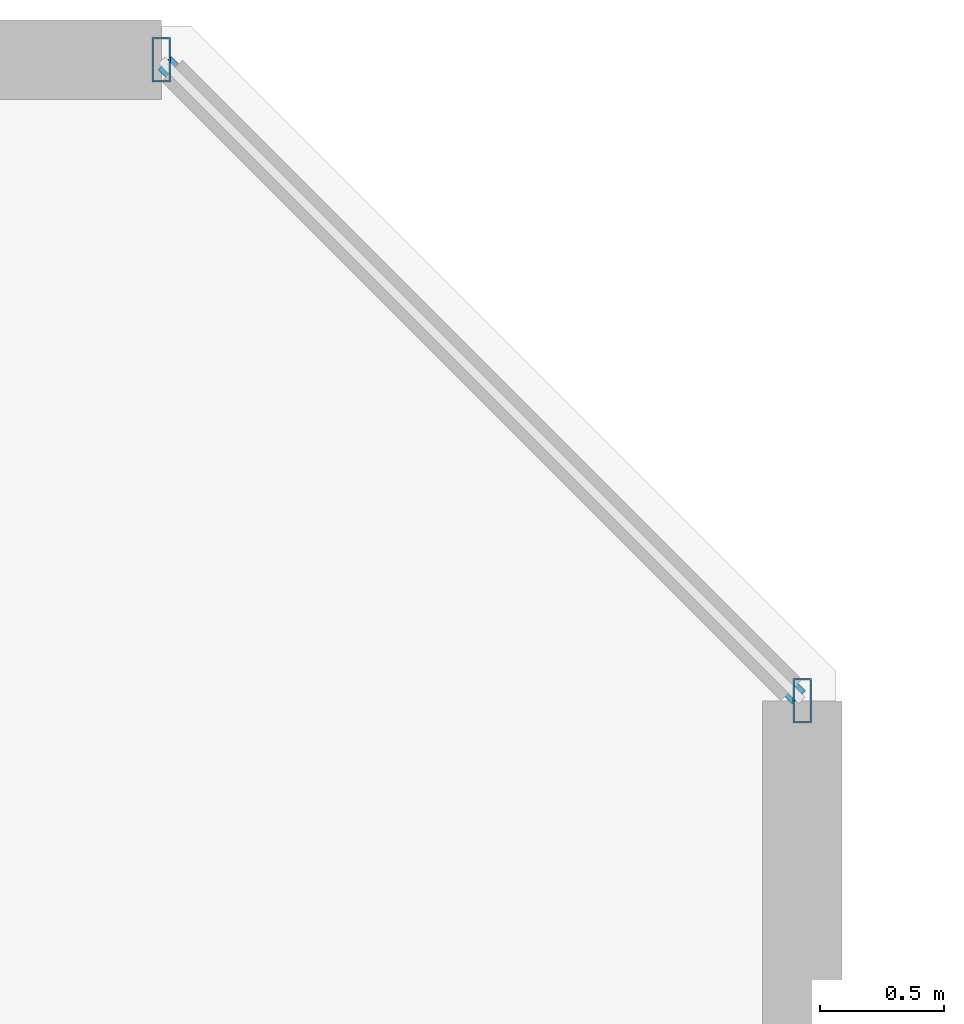
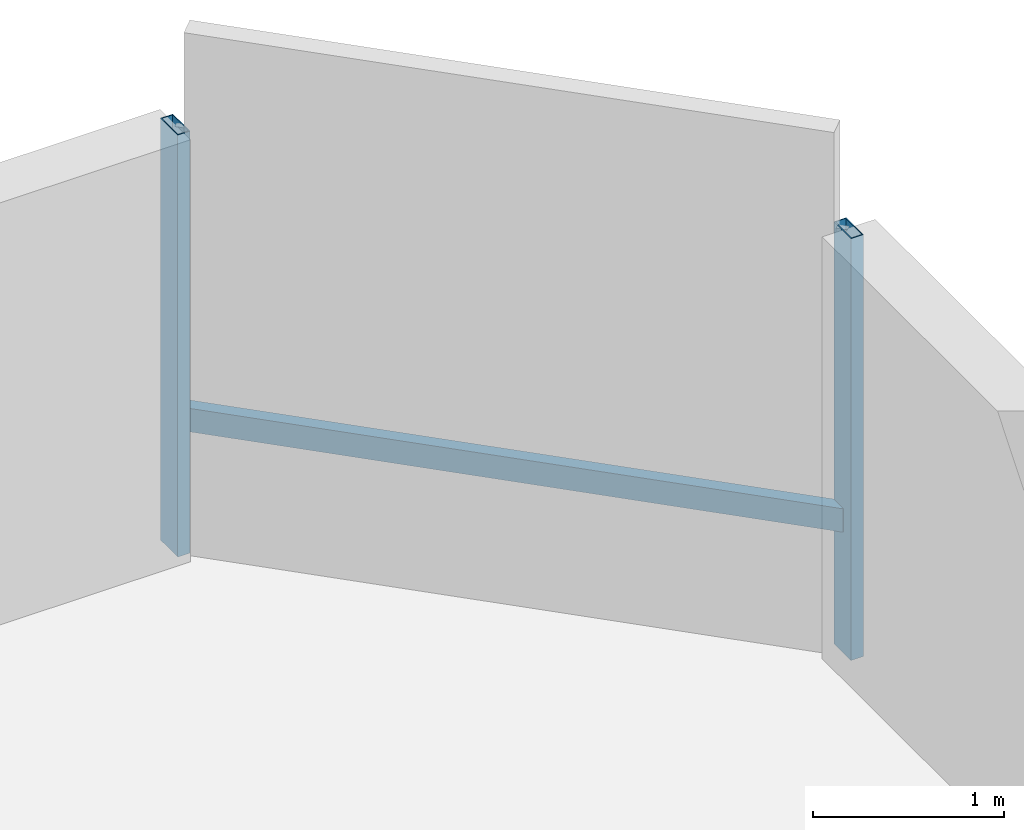
# One storey, part 16 of 31: 3 members, 1 element without a shape of its own.
"""IFC4 building model written with IfcOpenShell, lengths in metres."""

from ifc_helpers import new_model, si_unit, direction, frame, origin, origin_2d, place, context, subcontext, project, spatial, hollow_rectangle, extrude, material, material_profile, profile_set, type_object, element, aggregate, save


model = new_model("IFC4")

# Units and contexts
model_context = context("Model", 3, precision=1e-05, world=origin(), true_north=direction((0.0, 1.0)))
body_context = subcontext(model_context, "Body", "Model", "MODEL_VIEW")
ifc_project = project(units=[si_unit("LENGTHUNIT", "METRE"), si_unit("AREAUNIT", "SQUARE_METRE"), si_unit("VOLUMEUNIT", "CUBIC_METRE"), si_unit("PLANEANGLEUNIT", "RADIAN"), si_unit("MASSUNIT", "GRAM", prefix="KILO")], contexts=[model_context])

# Site, building, storey
site_placement = place(None, origin())
site = spatial("IfcSite", under=ifc_project, at=site_placement, CompositionType="ELEMENT")
building_placement = place(site_placement, origin())
building = spatial("IfcBuilding", under=site, at=building_placement, Name="Thornwick Lancets Civic Towers", CompositionType="ELEMENT")
storey_placement = place(building_placement, frame((0.0, 0.0, 236.699951171875)))
storey = spatial("IfcBuildingStorey", under=building, at=storey_placement, Name="L63", CompositionType="ELEMENT", Elevation=236.699951171875)

# Curtain wall, members
ifc_material_1 = material(Name="High-zone chamfered-corner unitised glass curtain wall", Category="glass")
curtain_wall_type = type_object("IfcCurtainWallType", Name="CW_SYS_05", PredefinedType="NOTDEFINED", material=ifc_material_1)
curtain_wall_placement = place(storey_placement, origin())
curtain_wall = element("IfcCurtainWall", 1, at=curtain_wall_placement, inside=storey, type_object=curtain_wall_type, Name="L63 Curtain Wall CW-L63-B-E3", PredefinedType="NOTDEFINED")
ifc_material_2 = material(Name="Thermally broken bronze aluminium S355", Category="steel")
ifc_material_profile_1 = material_profile(ifc_material_2, hollow_rectangle(XDim=0.074951171875, YDim=0.179931640625, WallThickness=0.006103515625, at=origin_2d()), Name="RHS 180x75x6")
ifc_profile_set_1 = profile_set([ifc_material_profile_1], Name="Thermally broken bronze aluminium S355")
member_type_1 = type_object("IfcMemberType", Name="CW_MUL_180", PredefinedType="MULLION", material=ifc_profile_set_1)
member_1_placement = place(storey_placement, frame((112.2646484375, 42.181396484375, 0.0), z_axis=(0.0, 0.0, 1.0), x_axis=(1.0, 0.0, 0.0)))
member_1 = element("IfcMember", 2, at=member_1_placement, type_object=member_type_1, Name="CW-L63-B-E3 Mullion 0", PredefinedType="MULLION", context=body_context, shape_type="SweptSolid", body=[
    extrude(hollow_rectangle(XDim=0.074951171875, YDim=0.179931640625, WallThickness=0.006103515625, at=origin_2d()), origin(), (0.0, 0.0, 1.0), 2.699951171875),
])
member_2_placement = place(storey_placement, frame((109.681396484375, 44.7646484375, 0.0), z_axis=(0.0, 0.0, 1.0), x_axis=(1.0, 0.0, 0.0)))
member_2 = element("IfcMember", 3, at=member_2_placement, type_object=member_type_1, Name="CW-L63-B-E3 Mullion 1", PredefinedType="MULLION", context=body_context, shape_type="SweptSolid", body=[
    extrude(hollow_rectangle(XDim=0.074951171875, YDim=0.179931640625, WallThickness=0.006103515625, at=origin_2d()), origin(), (0.0, 0.0, 1.0), 2.699951171875),
])
ifc_material_profile_2 = material_profile(ifc_material_2, hollow_rectangle(XDim=0.074951171875, YDim=0.14990234375, WallThickness=0.0048828125, at=origin_2d()), Name="RHS 150x75x5")
ifc_profile_set_2 = profile_set([ifc_material_profile_2], Name="Thermally broken bronze aluminium S355")
member_type_2 = type_object("IfcMemberType", Name="CW_TRN_150", PredefinedType="USERDEFINED", material=ifc_profile_set_2)
member_3_placement = place(storey_placement, frame((112.25048828125, 42.195556640625, 0.85009765625), z_axis=(-0.707106781187, 0.707106781187, 0.0), x_axis=(-0.707106781187, -0.707106781187, 0.0)))
member_3 = element("IfcMember", 4, at=member_3_placement, type_object=member_type_2, Name="CW-L63-B-E3 Transom 0", ObjectType="TRANSOM", PredefinedType="USERDEFINED", context=body_context, shape_type="SweptSolid", body=[
    extrude(hollow_rectangle(XDim=0.074951171875, YDim=0.14990234375, WallThickness=0.0048828125, at=origin_2d()), origin(), (0.0, 0.0, 1.0), 3.61328125),
])
aggregate(curtain_wall, [member_1, member_2, member_3])

save(model, "model.ifc")
